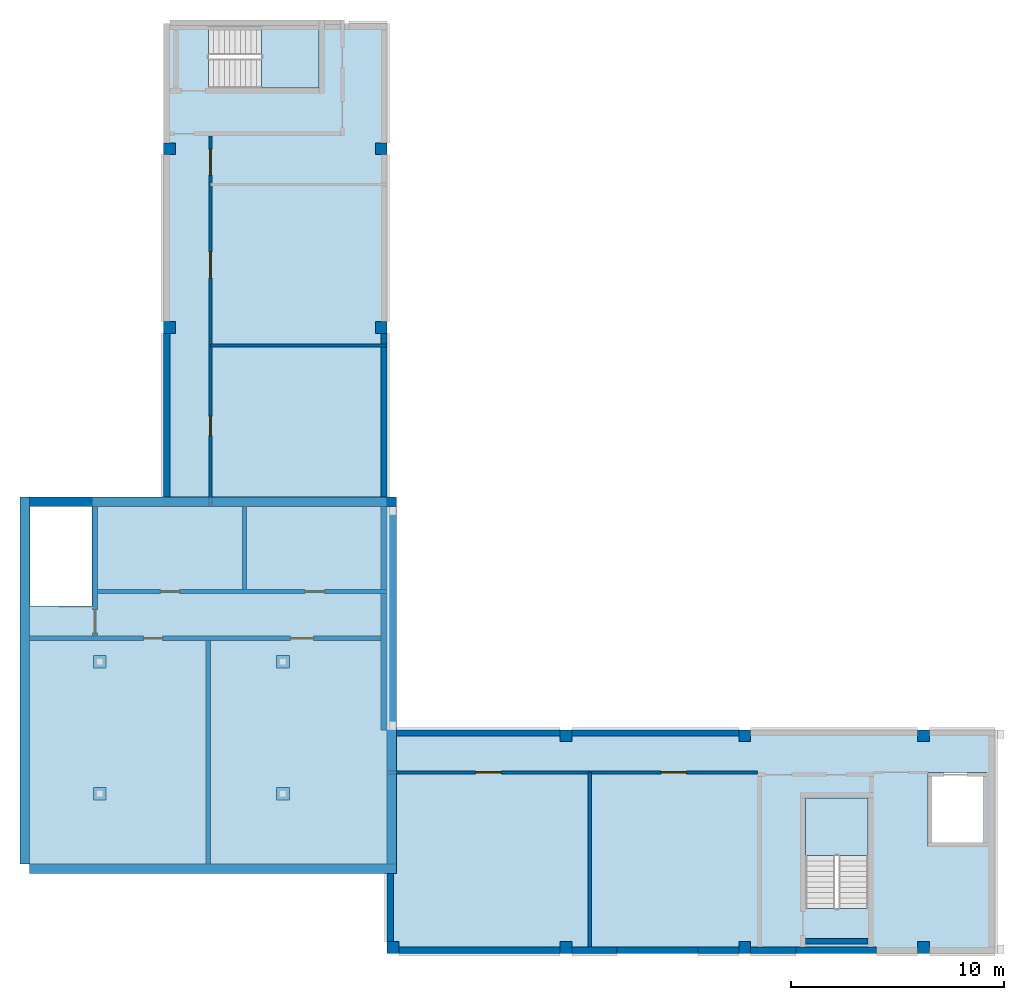
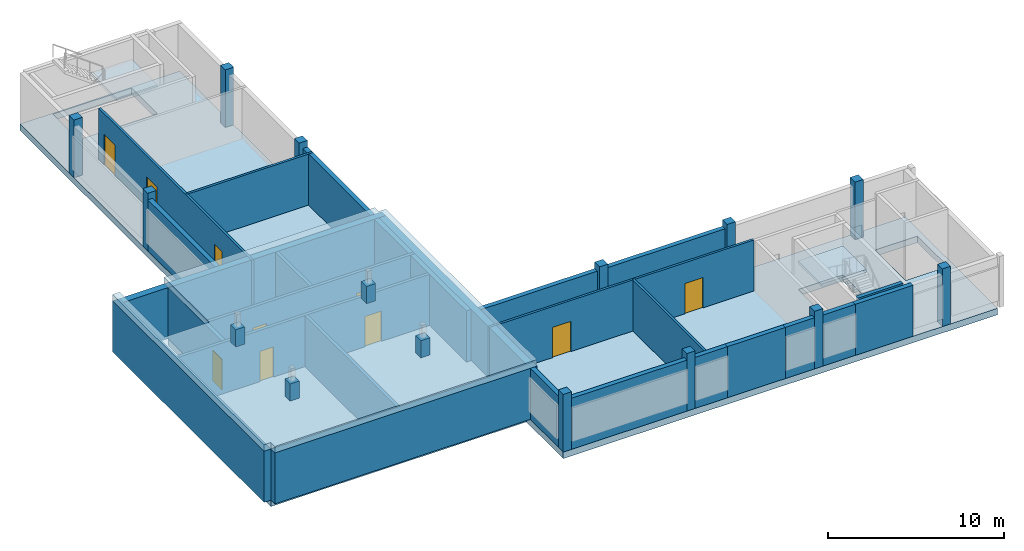
# One storey, part 1 of 5: 30 walls, 11 columns, 10 doors, 6 slabs, 10 openings, 2 elements without a shape of their own.
"""IFC4 building model written with IfcOpenShell, lengths in metres."""

from ifc_helpers import new_model, si_unit, direction, frame, frame_2d, origin, origin_2d, place, context, subcontext, project, spatial, polyline, rectangle, outline, extrude, source, transform, mapped, material, layer, layer_set, material_profile, profile_set, type_object, element, fill, aggregate, save


model = new_model("IFC4")

# Units and contexts
model_context = context("Model", 3, precision=1e-05, world=origin(), true_north=direction((0.0, 1.0)))
body_context = subcontext(model_context, "Body", "Model", "MODEL_VIEW")
ifc_project = project(units=[si_unit("LENGTHUNIT", "METRE"), si_unit("AREAUNIT", "SQUARE_METRE"), si_unit("VOLUMEUNIT", "CUBIC_METRE"), si_unit("PLANEANGLEUNIT", "RADIAN"), si_unit("MASSUNIT", "GRAM", prefix="KILO")], contexts=[model_context])

# Site, building, storey
site_placement = place(None, origin())
site = spatial("IfcSite", under=ifc_project, at=site_placement, CompositionType="ELEMENT")
building_placement = place(site_placement, origin())
building = spatial("IfcBuilding", under=site, at=building_placement, Name="Aurelian Terraces", CompositionType="ELEMENT")
storey_placement = place(building_placement, frame((0.0, 0.0, 372.5)))
storey = spatial("IfcBuildingStorey", under=building, at=storey_placement, Name="L89", CompositionType="ELEMENT", Elevation=372.5)

# Columns
ifc_material_1 = material(Name="Concrete fc' 55 MPa", Category="concrete")
ifc_material_profile = material_profile(ifc_material_1, rectangle(XDim=0.55, YDim=0.55, at=origin_2d()))
ifc_profile_set = profile_set([ifc_material_profile], Name="Concrete fc' 55 MPa")
column_type = type_object("IfcColumnType", Name="RC COLUMN 550X550 FC55", PredefinedType="COLUMN", material=ifc_profile_set)
shared_shape_1 = source(origin(), body_context, "Body", "SweptSolid", [
    extrude(rectangle(XDim=0.55, YDim=0.55, at=origin_2d()), origin(), (0.0, 0.0, 1.0), 4.0),
])
for number, where, z_axis, x_axis, name in (
    (1, (21.275, 0.275, 0.0), (0.0, 0.0, 1.0), (1.0, 0.0, 0.0), "Column 3/A L89"),
    (2, (29.4, 0.275, 0.0), (0.0, 0.0, 1.0), (1.0, 0.0, 0.0), "Column 4/A L89"),
    (3, (37.8, 0.275, 0.0), (0.0, 0.0, 1.0), (1.0, 0.0, 0.0), "Column 5/A L89"),
    (4, (46.2, 0.275, 0.0), (0.0, 0.0, 1.0), (1.0, 0.0, 0.0), "Column 6/A L89"),
    (5, (29.4, 10.225, 0.0), (0.0, 0.0, 1.0), (1.0, 0.0, 0.0), "Column 4/B L89"),
    (6, (37.8, 10.225, 0.0), (0.0, 0.0, 1.0), (1.0, 0.0, 0.0), "Column 5/B L89"),
    (7, (46.2, 10.225, 0.0), (0.0, 0.0, 1.0), (1.0, 0.0, 0.0), "Column 6/B L89"),
    (8, (10.775, 29.4, 0.0), (0.0, 0.0, 1.0), (1.0, 0.0, 0.0), "Column 2/D L89"),
    (9, (20.725, 29.4, 0.0), (0.0, 0.0, 1.0), (1.0, 0.0, 0.0), "Column 3/D L89"),
    (10, (10.775, 37.8, 0.0), (0.0, 0.0, 1.0), (1.0, 0.0, 0.0), "Column 2/E L89"),
    (11, (20.725, 37.8, 0.0), (0.0, 0.0, 1.0), (1.0, 0.0, 0.0), "Column 3/E L89"),
):
    element("IfcColumn", number, at=place(storey_placement, frame(where, z_axis=z_axis, x_axis=x_axis)), inside=storey, type_object=column_type, Name=name, PredefinedType="COLUMN", context=body_context, shape_type="MappedRepresentation", body=[
        mapped(shared_shape_1, transform((0.0, 0.0, 0.0), scale=1.0)),
    ])

# Slabs
ifc_material_2 = material(Name="Concrete fc' 40 MPa", Category="concrete")
ifc_layer_1 = layer(ifc_material_2, 0.45)
ifc_layer_set_1 = layer_set([ifc_layer_1], Name="CROWN ROOF SLAB 450")
slab_type_1 = type_object("IfcSlabType", Name="CROWN ROOF SLAB 450", PredefinedType="ROOF", material=ifc_layer_set_1)
slab_1_placement = place(storey_placement, frame((0.0, 0.0, 3.55)))
element("IfcSlab", 12, at=slab_1_placement, inside=storey, type_object=slab_type_1, Name="Plant penthouse roof slab PH1", PredefinedType="ROOF", context=body_context, shape_type="SweptSolid", body=[
    extrude(outline(polyline([(4.2, 4.2), (3.75, 4.2), (3.75, 21.45), (4.21, 21.45), (4.21, 16.31), (7.14, 16.31), (7.14, 21.45), (21.0, 21.45), (21.0, 21.0), (21.45, 21.0), (21.45, 3.75), (4.2, 3.75), (4.2, 4.2)])), origin(), (0.0, 0.0, 1.0), 0.45),
])
ifc_layer_2 = layer(ifc_material_2, 0.45)
ifc_layer_set_2 = layer_set([ifc_layer_2], Name="PT FLAT PLATE 450")
slab_type_2 = type_object("IfcSlabType", Name="PT FLAT PLATE 450", PredefinedType="FLOOR", material=ifc_layer_set_2)
slab_2_placement = place(storey_placement, frame((0.0, 0.0, -0.45)))
element("IfcSlab", 13, at=slab_2_placement, inside=storey, type_object=slab_type_2, Name="Floor slab A L89", PredefinedType="FLOOR", context=body_context, shape_type="SweptSolid", body=[
    extrude(outline(polyline([(37.8, 0.0), (29.4, 0.0), (21.0, 0.0), (21.0, 10.5), (49.56, 10.5), (49.56, 6.3), (49.56, 4.2), (49.56, 0.0), (46.2, 0.0), (37.8, 0.0)]), holes=[polyline([(46.41, 8.49), (46.41, 5.01), (49.19, 5.01), (49.19, 8.49), (46.41, 8.49)]), polyline([(40.66, 2.11), (43.59, 2.11), (43.59, 7.29), (40.66, 7.29), (40.66, 2.11)])]), origin(), (0.0, 0.0, 1.0), 0.45),
])
slab_3_placement = place(storey_placement, frame((0.0, 0.0, -0.45)))
element("IfcSlab", 14, at=slab_3_placement, inside=storey, type_object=slab_type_2, Name="Floor slab B L89", PredefinedType="FLOOR", context=body_context, shape_type="SweptSolid", body=[
    extrude(outline(polyline([(10.5, 43.68), (14.7, 43.68), (16.8, 43.68), (21.0, 43.68), (21.0, 37.8), (21.0, 29.4), (21.0, 21.0), (10.5, 21.0), (10.5, 37.8), (10.5, 43.68)]), holes=[polyline([(12.61, 43.59), (12.61, 40.66), (17.79, 40.66), (17.79, 43.59), (12.61, 43.59)])]), origin(), (0.0, 0.0, 1.0), 0.45),
])
slab_4_placement = place(storey_placement, frame((0.0, 0.0, -0.45)))
element("IfcSlab", 15, at=slab_4_placement, inside=storey, type_object=slab_type_2, Name="Floor slab C L89", PredefinedType="FLOOR", context=body_context, shape_type="SweptSolid", body=[
    extrude(outline(polyline([(21.0, 21.0), (21.0, 4.2), (4.2, 4.2), (4.2, 21.0), (4.21, 21.0), (4.21, 16.31), (7.14, 16.31), (7.14, 21.0), (21.0, 21.0)])), origin(), (0.0, 0.0, 1.0), 0.45),
])

# Stair, slab
stair_type = type_object("IfcStairType", Name="Stair 1400", PredefinedType="HALF_TURN_STAIR", material=ifc_material_2)
stair_1_placement = place(storey_placement, origin())
stair_1 = element("IfcStair", 16, at=stair_1_placement, inside=storey, type_object=stair_type, Name="L89 S2", PredefinedType="HALF_TURN_STAIR")
ifc_layer_3 = layer(ifc_material_2, 0.2)
ifc_layer_set_3 = layer_set([ifc_layer_3], Name="Stair landing 200")
slab_type_3 = type_object("IfcSlabType", Name="Stair landing 200", PredefinedType="LANDING", material=ifc_layer_set_3)
shared_shape_2 = source(origin(), body_context, "Body", "SweptSolid", [
    extrude(outline(polyline([(43.6, 4.6), (43.6, 7.3), (40.65, 7.3), (40.65, 4.6), (43.6, 4.6)])), origin(), (0.0, 0.0, 1.0), 0.2),
])
slab_5_placement = place(storey_placement, frame((0.0, 0.0, 1.8)))
slab_5 = element("IfcSlab", 17, at=slab_5_placement, type_object=slab_type_3, Name="S2 landing 1", PredefinedType="LANDING", context=body_context, shape_type="MappedRepresentation", body=[
    mapped(shared_shape_2, transform((0.0, 0.0, 0.0), scale=1.0)),
])
aggregate(stair_1, [slab_5])

stair_2_placement = place(storey_placement, origin())
stair_2 = element("IfcStair", 18, at=stair_2_placement, inside=storey, type_object=stair_type, Name="L89 S3U", PredefinedType="HALF_TURN_STAIR")
shared_shape_3 = source(origin(), body_context, "Body", "SweptSolid", [
    extrude(outline(polyline([(15.1, 40.65), (17.8, 40.65), (17.8, 43.6), (15.1, 43.6), (15.1, 40.65)])), origin(), (0.0, 0.0, 1.0), 0.2),
])
slab_6_placement = place(storey_placement, frame((0.0, 0.0, 1.8)))
slab_6 = element("IfcSlab", 19, at=slab_6_placement, type_object=slab_type_3, Name="S3U landing 1", PredefinedType="LANDING", context=body_context, shape_type="MappedRepresentation", body=[
    mapped(shared_shape_3, transform((0.0, 0.0, 0.0), scale=1.0)),
])
aggregate(stair_2, [slab_6])

# Walls
ifc_layer_4 = layer(ifc_material_1, 0.6)
ifc_layer_set_4 = layer_set([ifc_layer_4], Name="CROWN PIER 600 FC55")
wall_type_1 = type_object("IfcWallType", Name="CROWN PIER 600 FC55", PredefinedType="SOLIDWALL", material=ifc_layer_set_4)
wall_1_placement = place(storey_placement, frame((7.5, 7.5, 4.0), z_axis=(0.0, 0.0, 1.0), x_axis=(1.0, 0.0, 0.0)))
element("IfcWall", 20, at=wall_1_placement, inside=storey, type_object=wall_type_1, Name="Crown shoulder pier", PredefinedType="SOLIDWALL", context=body_context, shape_type="SweptSolid", body=[
    extrude(rectangle(XDim=0.6, YDim=0.6, at=origin_2d()), origin(), (0.0, 0.0, 1.0), 1.2),
])
ifc_material_3 = material(Name="Gypsum board on steel studs", Category="steel")
ifc_layer_5 = layer(ifc_material_3, 0.2)
ifc_layer_set_5 = layer_set([ifc_layer_5], Name="Core partition 200")
wall_type_2 = type_object("IfcWallType", Name="Core partition 200", PredefinedType="PARTITIONING", material=ifc_layer_set_5)
wall_2_placement = place(storey_placement, frame((12.6, 4.2, 0.0), z_axis=(0.0, 0.0, 1.0), x_axis=(0.0, 1.0, 0.0)))
element("IfcWall", 21, at=wall_2_placement, inside=storey, type_object=wall_type_2, Name="L89 core wall PF-SM", PredefinedType="PARTITIONING", context=body_context, shape_type="SweptSolid", body=[
    extrude(rectangle(XDim=10.5, YDim=0.2, at=frame_2d((5.25, 0.0))), origin(), (0.0, 0.0, 1.0), 3.55),
])

# Wall, openings, doors
wall_3_placement = place(storey_placement, frame((7.4, 17.0, 0.0), z_axis=(0.0, 0.0, 1.0), x_axis=(1.0, 0.0, 0.0)))
wall_3 = element("IfcWall", 22, at=wall_3_placement, inside=storey, type_object=wall_type_2, Name="L89 core wall PF-N", PredefinedType="PARTITIONING", context=body_context, shape_type="SweptSolid", body=[
    extrude(rectangle(XDim=13.6, YDim=0.2, at=frame_2d((6.8, 0.0))), origin(), (0.0, 0.0, 1.0), 3.55),
])
shared_shape_4 = source(origin(), body_context, "Body", "SweptSolid", [
    extrude(rectangle(XDim=0.9, YDim=2.1, at=frame_2d((0.45, 1.05))), frame((0.0, 0.11, 0.0), z_axis=(0.0, -1.0, 0.0), x_axis=(1.0, 0.0, 0.0)), (0.0, 0.0, 1.0), 0.22),
])
opening_1_placement = place(wall_3_placement, frame((2.95, 0.0, 0.0)))
opening_1 = element("IfcOpeningElement", 23, at=opening_1_placement, cuts=wall_3, Name="Opening 69211", PredefinedType="OPENING", context=body_context, shape_type="MappedRepresentation", body=[
    mapped(shared_shape_4, transform((0.0, 0.0, 0.0), scale=1.0)),
])
opening_2_placement = place(wall_3_placement, frame((9.75, 0.0, 0.0)))
opening_2 = element("IfcOpeningElement", 24, at=opening_2_placement, cuts=wall_3, Name="Opening 69212", PredefinedType="OPENING", context=body_context, shape_type="MappedRepresentation", body=[
    mapped(shared_shape_4, transform((0.0, 0.0, 0.0), scale=1.0)),
])
ifc_material_4 = material(Name="Steel door leaf", Category="steel")
door_type_1 = type_object("IfcDoorType", Name="Core service door 900x2100 right", OperationType="SINGLE_SWING_RIGHT", PredefinedType="DOOR", material=ifc_material_4)
shared_shape_5 = source(origin(), body_context, "Body", "SweptSolid", [
    extrude(rectangle(XDim=0.9, YDim=2.1, at=frame_2d((0.45, 1.05))), frame((0.0, 0.025, 0.0), z_axis=(0.0, -1.0, 0.0), x_axis=(1.0, 0.0, 0.0)), (0.0, 0.0, 1.0), 0.05),
])
door_1_placement = place(opening_1_placement, origin())
door_1 = element("IfcDoor", 25, at=door_1_placement, inside=storey, type_object=door_type_1, Name="Room door 69211", OperationType="SINGLE_SWING_RIGHT", OverallHeight=2.1, OverallWidth=0.9, PredefinedType="DOOR", context=body_context, shape_type="MappedRepresentation", body=[
    mapped(shared_shape_5, transform((0.0, 0.0, 0.0), scale=1.0)),
])
fill(opening_1, door_1)
door_type_2 = type_object("IfcDoorType", Name="Core riser door 900x2100", OperationType="SINGLE_SWING_LEFT", PredefinedType="DOOR", material=ifc_material_4)
door_2_placement = place(opening_2_placement, origin())
door_2 = element("IfcDoor", 26, at=door_2_placement, inside=storey, type_object=door_type_2, Name="Room door 69212", OperationType="SINGLE_SWING_LEFT", OverallHeight=2.1, OverallWidth=0.9, PredefinedType="DOOR", context=body_context, shape_type="MappedRepresentation", body=[
    mapped(shared_shape_5, transform((0.0, 0.0, 0.0), scale=1.0)),
])
fill(opening_2, door_2)

# Walls
wall_4_placement = place(storey_placement, frame((14.3, 17.1, 0.0), z_axis=(0.0, 0.0, 1.0), x_axis=(0.0, 1.0, 0.0)))
element("IfcWall", 27, at=wall_4_placement, inside=storey, type_object=wall_type_2, Name="L89 core wall PF-NM", PredefinedType="PARTITIONING", context=body_context, shape_type="SweptSolid", body=[
    extrude(rectangle(XDim=3.9, YDim=0.2, at=frame_2d((1.95, 0.0))), origin(), (0.0, 0.0, 1.0), 3.55),
])
ifc_material_5 = material(Name="Terracotta rainscreen cladding", Category="masonry")
ifc_layer_6 = layer(ifc_material_5, 0.3)
ifc_layer_set_6 = layer_set([ifc_layer_6], Name="EW-300")
wall_type_3 = type_object("IfcWallType", Name="EW-300", PredefinedType="STANDARD", material=ifc_layer_set_6)
wall_5_placement = place(storey_placement, frame((21.55, 0.15, 0.0), z_axis=(0.0, 0.0, 1.0), x_axis=(1.0, 0.0, 0.0)))
element("IfcWall", 28, at=wall_5_placement, inside=storey, type_object=wall_type_3, Name="External wall L89 F01.1", PredefinedType="STANDARD", context=body_context, shape_type="SweptSolid", body=[
    extrude(rectangle(XDim=7.575, YDim=0.3, at=frame_2d((3.7875, 0.0))), origin(), (0.0, 0.0, 1.0), 3.55),
])
wall_6_placement = place(storey_placement, frame((29.675, 0.15, 0.0), z_axis=(0.0, 0.0, 1.0), x_axis=(1.0, 0.0, 0.0)))
element("IfcWall", 29, at=wall_6_placement, inside=storey, type_object=wall_type_3, Name="External wall L89 F01.2", PredefinedType="STANDARD", context=body_context, shape_type="SweptSolid", body=[
    extrude(rectangle(XDim=2.125, YDim=0.3, at=frame_2d((1.0625, 0.0))), origin(), (0.0, 0.0, 1.0), 3.55),
])
wall_7_placement = place(storey_placement, frame((35.6, 0.15, 0.0), z_axis=(0.0, 0.0, 1.0), x_axis=(1.0, 0.0, 0.0)))
element("IfcWall", 30, at=wall_7_placement, inside=storey, type_object=wall_type_3, Name="External wall L89 F01.4", PredefinedType="STANDARD", context=body_context, shape_type="SweptSolid", body=[
    extrude(rectangle(XDim=1.925, YDim=0.3, at=frame_2d((0.9625, 0.0))), origin(), (0.0, 0.0, 1.0), 3.55),
])
wall_8_placement = place(storey_placement, frame((29.125, 10.35, 0.0), z_axis=(0.0, 0.0, 1.0), x_axis=(-1.0, 0.0, 0.0)))
element("IfcWall", 31, at=wall_8_placement, inside=storey, type_object=wall_type_3, Name="External wall L89 F03.4", PredefinedType="STANDARD", context=body_context, shape_type="SweptSolid", body=[
    extrude(rectangle(XDim=7.675, YDim=0.3, at=frame_2d((3.8375, 0.0))), origin(), (0.0, 0.0, 1.0), 3.55),
])
wall_9_placement = place(storey_placement, frame((21.15, 3.75, 0.0), z_axis=(0.0, 0.0, 1.0), x_axis=(0.0, -1.0, 0.0)))
element("IfcWall", 32, at=wall_9_placement, inside=storey, type_object=wall_type_3, Name="External wall L89 F10.1", PredefinedType="STANDARD", context=body_context, shape_type="SweptSolid", body=[
    extrude(rectangle(XDim=3.2, YDim=0.3, at=frame_2d((1.6, 0.0))), origin(), (0.0, 0.0, 1.0), 3.55),
])
ifc_layer_7 = layer(ifc_material_1, 0.45)
ifc_layer_set_7 = layer_set([ifc_layer_7], Name="PLANT PENTHOUSE 450 FC55")
wall_type_4 = type_object("IfcWallType", Name="PLANT PENTHOUSE 450 FC55", PredefinedType="SOLIDWALL", material=ifc_layer_set_7)
wall_10_placement = place(storey_placement, frame((4.2, 3.975, 0.0), z_axis=(0.0, 0.0, 1.0), x_axis=(1.0, 0.0, 0.0)))
element("IfcWall", 33, at=wall_10_placement, inside=storey, type_object=wall_type_4, Name="Plant room wall on core wall", PredefinedType="SOLIDWALL", context=body_context, shape_type="SweptSolid", body=[
    extrude(rectangle(XDim=17.25, YDim=0.45, at=frame_2d((8.625, 0.0))), origin(), (0.0, 0.0, 1.0), 3.55),
])
wall_11_placement = place(storey_placement, frame((21.225, 4.2, 0.0), z_axis=(0.0, 0.0, 1.0), x_axis=(0.0, 1.0, 0.0)))
element("IfcWall", 34, at=wall_11_placement, inside=storey, type_object=wall_type_4, Name="Plant room wall on core wall", PredefinedType="SOLIDWALL", context=body_context, shape_type="SweptSolid", body=[
    extrude(rectangle(XDim=16.8, YDim=0.45, at=frame_2d((8.4, 0.0))), origin(), (0.0, 0.0, 1.0), 3.55),
])
ifc_layer_8 = layer(ifc_material_2, 0.3)
ifc_layer_set_8 = layer_set([ifc_layer_8], Name="STAIR BAY WALL 300")
wall_type_5 = type_object("IfcWallType", Name="STAIR BAY WALL 300", PredefinedType="SOLIDWALL", material=ifc_layer_set_8)
for number, where, z_axis, x_axis, name in (
    (35, (31.8, 0.15, 0.0), (0.0, 0.0, 1.0), (1.0, 0.0, 0.0), "Stair bay wall L89 F01.3"),
    (36, (40.2, 0.15, 0.0), (0.0, 0.0, 1.0), (1.0, 0.0, 0.0), "Stair bay wall L89 F01.6"),
):
    element("IfcWall", number, at=place(storey_placement, frame(where, z_axis=z_axis, x_axis=x_axis)), inside=storey, type_object=wall_type_5, Name=name, PredefinedType="SOLIDWALL", context=body_context, shape_type="SweptSolid", body=[
        extrude(rectangle(XDim=3.8, YDim=0.3, at=frame_2d((1.9, 0.0))), origin(), (0.0, 0.0, 1.0), 3.55),
    ])

# Wall, openings, doors
ifc_layer_9 = layer(ifc_material_3, 0.15)
ifc_layer_set_9 = layer_set([ifc_layer_9], Name="Special partition 150")
wall_type_6 = type_object("IfcWallType", Name="Special partition 150", PredefinedType="PARTITIONING", material=ifc_layer_set_9)
wall_12_placement = place(storey_placement, frame((21.0, 8.5, 0.0), z_axis=(0.0, 0.0, 1.0), x_axis=(1.0, 0.0, 0.0)))
wall_12 = element("IfcWall", 37, at=wall_12_placement, inside=storey, type_object=wall_type_6, Name="L89 partition W01", PredefinedType="PARTITIONING", context=body_context, shape_type="SweptSolid", body=[
    extrude(rectangle(XDim=17.4, YDim=0.15, at=frame_2d((8.7, 0.0))), origin(), (0.0, 0.0, 1.0), 3.55),
])
shared_shape_6 = source(origin(), body_context, "Body", "SweptSolid", [
    extrude(rectangle(XDim=1.2, YDim=2.1, at=frame_2d((0.6, 1.05))), frame((0.0, 0.085, 0.0), z_axis=(0.0, -1.0, 0.0), x_axis=(1.0, 0.0, 0.0)), (0.0, 0.0, 1.0), 0.17),
])
opening_3_placement = place(wall_12_placement, frame((4.16, 0.0, 0.0)))
opening_3 = element("IfcOpeningElement", 38, at=opening_3_placement, cuts=wall_12, Name="Opening 79201", PredefinedType="OPENING", context=body_context, shape_type="MappedRepresentation", body=[
    mapped(shared_shape_6, transform((0.0, 0.0, 0.0), scale=1.0)),
])
opening_4_placement = place(wall_12_placement, frame((12.86, 0.0, 0.0)))
opening_4 = element("IfcOpeningElement", 39, at=opening_4_placement, cuts=wall_12, Name="Opening 79202", PredefinedType="OPENING", context=body_context, shape_type="MappedRepresentation", body=[
    mapped(shared_shape_6, transform((0.0, 0.0, 0.0), scale=1.0)),
])
door_type_3 = type_object("IfcDoorType", Name="Special door 1200x2100 right", OperationType="SINGLE_SWING_RIGHT", PredefinedType="DOOR", material=ifc_material_4)
shared_shape_7 = source(origin(), body_context, "Body", "SweptSolid", [
    extrude(rectangle(XDim=1.2, YDim=2.1, at=frame_2d((0.6, 1.05))), frame((0.0, 0.025, 0.0), z_axis=(0.0, -1.0, 0.0), x_axis=(1.0, 0.0, 0.0)), (0.0, 0.0, 1.0), 0.05),
])
door_3_placement = place(opening_3_placement, origin())
door_3 = element("IfcDoor", 40, at=door_3_placement, inside=storey, type_object=door_type_3, Name="Door 79201", OperationType="SINGLE_SWING_RIGHT", OverallHeight=2.1, OverallWidth=1.2, PredefinedType="DOOR", context=body_context, shape_type="MappedRepresentation", body=[
    mapped(shared_shape_7, transform((0.0, 0.0, 0.0), scale=1.0)),
])
fill(opening_3, door_3)
door_type_4 = type_object("IfcDoorType", Name="Special door 1200x2100", OperationType="SINGLE_SWING_LEFT", PredefinedType="DOOR", material=ifc_material_4)
door_4_placement = place(opening_4_placement, origin())
door_4 = element("IfcDoor", 41, at=door_4_placement, inside=storey, type_object=door_type_4, Name="Door 79202", OperationType="SINGLE_SWING_LEFT", OverallHeight=2.1, OverallWidth=1.2, PredefinedType="DOOR", context=body_context, shape_type="MappedRepresentation", body=[
    mapped(shared_shape_7, transform((0.0, 0.0, 0.0), scale=1.0)),
])
fill(opening_4, door_4)

# Wall
wall_13_placement = place(storey_placement, frame((12.7, 28.56, 0.0), z_axis=(0.0, 0.0, 1.0), x_axis=(1.0, 0.0, 0.0)))
element("IfcWall", 42, at=wall_13_placement, inside=storey, type_object=wall_type_6, Name="L89 partition W03", PredefinedType="PARTITIONING", context=body_context, shape_type="SweptSolid", body=[
    extrude(rectangle(XDim=8.3, YDim=0.15, at=frame_2d((4.15, 0.0))), origin(), (0.0, 0.0, 1.0), 3.55),
])

# Wall, opening, door
ifc_layer_10 = layer(ifc_material_2, 0.25)
ifc_layer_set_10 = layer_set([ifc_layer_10], Name="Stair enclosure wall 250")
wall_type_7 = type_object("IfcWallType", Name="Stair enclosure wall 250", PredefinedType="SOLIDWALL", material=ifc_layer_set_10)
wall_14_placement = place(storey_placement, frame((7.275, 14.9, 0.0), z_axis=(0.0, 0.0, 1.0), x_axis=(0.0, 1.0, 0.0)))
wall_14 = element("IfcWall", 43, at=wall_14_placement, inside=storey, type_object=wall_type_7, Name="L89 core wall ST-S1-E", PredefinedType="SOLIDWALL", context=body_context, shape_type="SweptSolid", body=[
    extrude(rectangle(XDim=6.1, YDim=0.25, at=frame_2d((3.05, 0.0))), origin(), (0.0, 0.0, 1.0), 3.55),
])
shared_shape_8 = source(origin(), body_context, "Body", "SweptSolid", [
    extrude(rectangle(XDim=1.1, YDim=2.1, at=frame_2d((0.55, 1.05))), frame((0.0, 0.135, 0.0), z_axis=(0.0, -1.0, 0.0), x_axis=(1.0, 0.0, 0.0)), (0.0, 0.0, 1.0), 0.27),
])
opening_5_placement = place(wall_14_placement, frame((0.15, 0.0, 0.0)))
opening_5 = element("IfcOpeningElement", 44, at=opening_5_placement, cuts=wall_14, Name="Opening 69208", PredefinedType="OPENING", context=body_context, shape_type="MappedRepresentation", body=[
    mapped(shared_shape_8, transform((0.0, 0.0, 0.0), scale=1.0)),
])
door_type_5 = type_object("IfcDoorType", Name="Core fire door 1100x2100", OperationType="SINGLE_SWING_LEFT", PredefinedType="DOOR", material=ifc_material_4)
shared_shape_9 = source(origin(), body_context, "Body", "SweptSolid", [
    extrude(rectangle(XDim=1.1, YDim=2.1, at=frame_2d((0.55, 1.05))), frame((0.0, 0.025, 0.0), z_axis=(0.0, -1.0, 0.0), x_axis=(1.0, 0.0, 0.0)), (0.0, 0.0, 1.0), 0.05),
])
door_5_placement = place(opening_5_placement, origin())
door_5 = element("IfcDoor", 45, at=door_5_placement, inside=storey, type_object=door_type_5, Name="Stair door 69208", OperationType="SINGLE_SWING_LEFT", OverallHeight=2.1, OverallWidth=1.1, PredefinedType="DOOR", context=body_context, shape_type="MappedRepresentation", body=[
    mapped(shared_shape_9, transform((0.0, 0.0, 0.0), scale=1.0)),
])
fill(opening_5, door_5)

# Walls
shared_shape_10 = source(origin(), body_context, "Body", "SweptSolid", [
    extrude(rectangle(XDim=17.25, YDim=0.45, at=frame_2d((8.625, 0.0))), origin(), (0.0, 0.0, 1.0), 3.55),
])
for number, where, z_axis, x_axis, name in (
    (46, (3.975, 4.2, 0.0), (0.0, 0.0, 1.0), (0.0, 1.0, 0.0), "Plant room wall on core wall"),
    (47, (4.2, 21.225, 0.0), (0.0, 0.0, 1.0), (1.0, 0.0, 0.0), "Plant room wall on core wall"),
):
    element("IfcWall", number, at=place(storey_placement, frame(where, z_axis=z_axis, x_axis=x_axis)), inside=storey, type_object=wall_type_4, Name=name, PredefinedType="SOLIDWALL", context=body_context, shape_type="MappedRepresentation", body=[
        mapped(shared_shape_10, transform((0.0, 0.0, 0.0), scale=1.0)),
    ])
shared_shape_11 = source(origin(), body_context, "Body", "SweptSolid", [
    extrude(rectangle(XDim=0.6, YDim=0.6, at=origin_2d()), origin(), (0.0, 0.0, 1.0), 1.2),
])
for number, where, z_axis, x_axis, name in (
    (48, (16.1, 7.5, 4.0), (0.0, 0.0, 1.0), (1.0, 0.0, 0.0), "Crown shoulder pier"),
    (49, (7.5, 13.7, 4.0), (0.0, 0.0, 1.0), (1.0, 0.0, 0.0), "Crown shoulder pier"),
    (50, (16.1, 13.7, 4.0), (0.0, 0.0, 1.0), (1.0, 0.0, 0.0), "Crown shoulder pier"),
):
    element("IfcWall", number, at=place(storey_placement, frame(where, z_axis=z_axis, x_axis=x_axis)), inside=storey, type_object=wall_type_1, Name=name, PredefinedType="SOLIDWALL", context=body_context, shape_type="MappedRepresentation", body=[
        mapped(shared_shape_11, transform((0.0, 0.0, 0.0), scale=1.0)),
    ])
shared_shape_12 = source(origin(), body_context, "Body", "SweptSolid", [
    extrude(rectangle(XDim=2.125, YDim=0.3, at=frame_2d((1.0625, 0.0))), origin(), (0.0, 0.0, 1.0), 3.55),
])
wall_15_placement = place(storey_placement, frame((38.075, 0.15, 0.0), z_axis=(0.0, 0.0, 1.0), x_axis=(1.0, 0.0, 0.0)))
element("IfcWall", 51, at=wall_15_placement, inside=storey, type_object=wall_type_3, Name="External wall L89 F01.5", PredefinedType="STANDARD", context=body_context, shape_type="MappedRepresentation", body=[
    mapped(shared_shape_12, transform((0.0, 0.0, 0.0), scale=1.0)),
])
shared_shape_13 = source(origin(), body_context, "Body", "SweptSolid", [
    extrude(rectangle(XDim=7.85, YDim=0.3, at=frame_2d((3.925, 0.0))), origin(), (0.0, 0.0, 1.0), 3.55),
])
wall_16_placement = place(storey_placement, frame((37.525, 10.35, 0.0), z_axis=(0.0, 0.0, 1.0), x_axis=(-1.0, 0.0, 0.0)))
element("IfcWall", 52, at=wall_16_placement, inside=storey, type_object=wall_type_3, Name="External wall L89 F03.3", PredefinedType="STANDARD", context=body_context, shape_type="MappedRepresentation", body=[
    mapped(shared_shape_13, transform((0.0, 0.0, 0.0), scale=1.0)),
])
shared_shape_14 = source(origin(), body_context, "Body", "SweptSolid", [
    extrude(rectangle(XDim=10.5, YDim=0.3, at=frame_2d((5.25, 0.0))), origin(), (0.0, 0.0, 1.0), 3.55),
])
wall_17_placement = place(storey_placement, frame((20.85, 10.5, 0.0), z_axis=(0.0, 0.0, 1.0), x_axis=(0.0, 1.0, 0.0)))
element("IfcWall", 53, at=wall_17_placement, inside=storey, type_object=wall_type_3, Name="External wall L89 F04.1", PredefinedType="STANDARD", context=body_context, shape_type="MappedRepresentation", body=[
    mapped(shared_shape_14, transform((0.0, 0.0, 0.0), scale=1.0)),
])
shared_shape_15 = source(origin(), body_context, "Body", "SweptSolid", [
    extrude(rectangle(XDim=7.675, YDim=0.3, at=frame_2d((3.8375, 0.0))), origin(), (0.0, 0.0, 1.0), 3.55),
])
for number, where, z_axis, x_axis, name in (
    (54, (20.85, 21.45, 0.0), (0.0, 0.0, 1.0), (0.0, 1.0, 0.0), "External wall L89 F04.2"),
    (55, (10.65, 29.125, 0.0), (0.0, 0.0, 1.0), (0.0, -1.0, 0.0), "External wall L89 F06.3"),
):
    element("IfcWall", number, at=place(storey_placement, frame(where, z_axis=z_axis, x_axis=x_axis)), inside=storey, type_object=wall_type_3, Name=name, PredefinedType="STANDARD", context=body_context, shape_type="MappedRepresentation", body=[
        mapped(shared_shape_15, transform((0.0, 0.0, 0.0), scale=1.0)),
    ])

# Wall, openings, doors
ifc_layer_11 = layer(ifc_material_2, 0.2)
ifc_layer_set_11 = layer_set([ifc_layer_11], Name="Lift shaft wall 200")
wall_type_8 = type_object("IfcWallType", Name="Lift shaft wall 200", PredefinedType="SOLIDWALL", material=ifc_layer_set_11)
shared_shape_16 = source(origin(), body_context, "Body", "SweptSolid", [
    extrude(rectangle(XDim=16.8, YDim=0.2, at=frame_2d((8.4, 0.0))), origin(), (0.0, 0.0, 1.0), 3.55),
])
wall_18_placement = place(storey_placement, frame((4.2, 14.8, 0.0), z_axis=(0.0, 0.0, 1.0), x_axis=(1.0, 0.0, 0.0)))
wall_18 = element("IfcWall", 56, at=wall_18_placement, inside=storey, type_object=wall_type_8, Name="L89 core wall PF-S", PredefinedType="SOLIDWALL", context=body_context, shape_type="MappedRepresentation", body=[
    mapped(shared_shape_16, transform((0.0, 0.0, 0.0), scale=1.0)),
])
opening_6_placement = place(wall_18_placement, frame((5.35, 0.0, 0.0)))
opening_6 = element("IfcOpeningElement", 57, at=opening_6_placement, cuts=wall_18, Name="Opening 69209", PredefinedType="OPENING", context=body_context, shape_type="MappedRepresentation", body=[
    mapped(shared_shape_4, transform((0.0, 0.0, 0.0), scale=1.0)),
])
shared_shape_17 = source(origin(), body_context, "Body", "SweptSolid", [
    extrude(rectangle(XDim=1.1, YDim=2.1, at=frame_2d((0.55, 1.05))), frame((0.0, 0.11, 0.0), z_axis=(0.0, -1.0, 0.0), x_axis=(1.0, 0.0, 0.0)), (0.0, 0.0, 1.0), 0.22),
])
opening_7_placement = place(wall_18_placement, frame((12.25, 0.0, 0.0)))
opening_7 = element("IfcOpeningElement", 58, at=opening_7_placement, cuts=wall_18, Name="Opening 69210", PredefinedType="OPENING", context=body_context, shape_type="MappedRepresentation", body=[
    mapped(shared_shape_17, transform((0.0, 0.0, 0.0), scale=1.0)),
])
door_6_placement = place(opening_6_placement, origin())
door_6 = element("IfcDoor", 59, at=door_6_placement, inside=storey, type_object=door_type_1, Name="Room door 69209", OperationType="SINGLE_SWING_RIGHT", OverallHeight=2.1, OverallWidth=0.9, PredefinedType="DOOR", context=body_context, shape_type="MappedRepresentation", body=[
    mapped(shared_shape_5, transform((0.0, 0.0, 0.0), scale=1.0)),
])
fill(opening_6, door_6)
door_type_6 = type_object("IfcDoorType", Name="Core service door 1100x2100", OperationType="SINGLE_SWING_LEFT", PredefinedType="DOOR", material=ifc_material_4)
door_7_placement = place(opening_7_placement, origin())
door_7 = element("IfcDoor", 60, at=door_7_placement, inside=storey, type_object=door_type_6, Name="Room door 69210", OperationType="SINGLE_SWING_LEFT", OverallHeight=2.1, OverallWidth=1.1, PredefinedType="DOOR", context=body_context, shape_type="MappedRepresentation", body=[
    mapped(shared_shape_9, transform((0.0, 0.0, 0.0), scale=1.0)),
])
fill(opening_7, door_7)

# Wall
shared_shape_18 = source(origin(), body_context, "Body", "SweptSolid", [
    extrude(rectangle(XDim=2.95, YDim=0.25, at=frame_2d((1.475, 0.0))), origin(), (0.0, 0.0, 1.0), 3.55),
])
wall_19_placement = place(storey_placement, frame((40.65, 0.575, 0.0), z_axis=(0.0, 0.0, 1.0), x_axis=(1.0, 0.0, 0.0)))
element("IfcWall", 61, at=wall_19_placement, inside=storey, type_object=wall_type_7, Name="L89 core wall ST-S2-SS", PredefinedType="SOLIDWALL", context=body_context, shape_type="MappedRepresentation", body=[
    mapped(shared_shape_18, transform((0.0, 0.0, 0.0), scale=1.0)),
])

# Wall, openings, doors
shared_shape_19 = source(origin(), body_context, "Body", "SweptSolid", [
    extrude(rectangle(XDim=17.4, YDim=0.15, at=frame_2d((8.7, 0.0))), origin(), (0.0, 0.0, 1.0), 3.55),
])
wall_20_placement = place(storey_placement, frame((12.7, 21.0, 0.0), z_axis=(0.0, 0.0, 1.0), x_axis=(0.0, 1.0, 0.0)))
wall_20 = element("IfcWall", 62, at=wall_20_placement, inside=storey, type_object=wall_type_6, Name="L89 partition W05", PredefinedType="PARTITIONING", context=body_context, shape_type="MappedRepresentation", body=[
    mapped(shared_shape_19, transform((0.0, 0.0, 0.0), scale=1.0)),
])
shared_shape_20 = source(origin(), body_context, "Body", "SweptSolid", [
    extrude(rectangle(XDim=0.9, YDim=2.1, at=frame_2d((0.45, 1.05))), frame((0.0, 0.085, 0.0), z_axis=(0.0, -1.0, 0.0), x_axis=(1.0, 0.0, 0.0)), (0.0, 0.0, 1.0), 0.17),
])
opening_8_placement = place(wall_20_placement, frame((3.33, 0.0, 0.0)))
opening_8 = element("IfcOpeningElement", 63, at=opening_8_placement, cuts=wall_20, Name="Opening 79204", PredefinedType="OPENING", context=body_context, shape_type="MappedRepresentation", body=[
    mapped(shared_shape_20, transform((0.0, 0.0, 0.0), scale=1.0)),
])
opening_9_placement = place(wall_20_placement, frame((10.74, 0.0, 0.0)))
opening_9 = element("IfcOpeningElement", 64, at=opening_9_placement, cuts=wall_20, Name="Opening 79205", PredefinedType="OPENING", context=body_context, shape_type="MappedRepresentation", body=[
    mapped(shared_shape_6, transform((0.0, 0.0, 0.0), scale=1.0)),
])
opening_10_placement = place(wall_20_placement, frame((15.57, 0.0, 0.0)))
opening_10 = element("IfcOpeningElement", 65, at=opening_10_placement, cuts=wall_20, Name="Opening 79206", PredefinedType="OPENING", context=body_context, shape_type="MappedRepresentation", body=[
    mapped(shared_shape_6, transform((0.0, 0.0, 0.0), scale=1.0)),
])
ifc_material_6 = material(Name="Timber door leaf", Category="wood")
door_type_7 = type_object("IfcDoorType", Name="Special door 900x2100", OperationType="SINGLE_SWING_LEFT", PredefinedType="DOOR", material=ifc_material_6)
door_8_placement = place(opening_8_placement, origin())
door_8 = element("IfcDoor", 66, at=door_8_placement, inside=storey, type_object=door_type_7, Name="Door 79204", OperationType="SINGLE_SWING_LEFT", OverallHeight=2.1, OverallWidth=0.9, PredefinedType="DOOR", context=body_context, shape_type="MappedRepresentation", body=[
    mapped(shared_shape_5, transform((0.0, 0.0, 0.0), scale=1.0)),
])
fill(opening_8, door_8)
door_9_placement = place(opening_9_placement, origin())
door_9 = element("IfcDoor", 67, at=door_9_placement, inside=storey, type_object=door_type_3, Name="Door 79205", OperationType="SINGLE_SWING_RIGHT", OverallHeight=2.1, OverallWidth=1.2, PredefinedType="DOOR", context=body_context, shape_type="MappedRepresentation", body=[
    mapped(shared_shape_7, transform((0.0, 0.0, 0.0), scale=1.0)),
])
fill(opening_9, door_9)
door_10_placement = place(opening_10_placement, origin())
door_10 = element("IfcDoor", 68, at=door_10_placement, inside=storey, type_object=door_type_4, Name="Door 79206", OperationType="SINGLE_SWING_LEFT", OverallHeight=2.1, OverallWidth=1.2, PredefinedType="DOOR", context=body_context, shape_type="MappedRepresentation", body=[
    mapped(shared_shape_7, transform((0.0, 0.0, 0.0), scale=1.0)),
])
fill(opening_10, door_10)

# Wall
shared_shape_21 = source(origin(), body_context, "Body", "SweptSolid", [
    extrude(rectangle(XDim=8.5, YDim=0.15, at=frame_2d((4.25, 0.0))), origin(), (0.0, 0.0, 1.0), 3.55),
])
wall_21_placement = place(storey_placement, frame((30.52, 0.0, 0.0), z_axis=(0.0, 0.0, 1.0), x_axis=(0.0, 1.0, 0.0)))
element("IfcWall", 69, at=wall_21_placement, inside=storey, type_object=wall_type_6, Name="L89 partition W06", PredefinedType="PARTITIONING", context=body_context, shape_type="MappedRepresentation", body=[
    mapped(shared_shape_21, transform((0.0, 0.0, 0.0), scale=1.0)),
])

save(model, "model.ifc")
